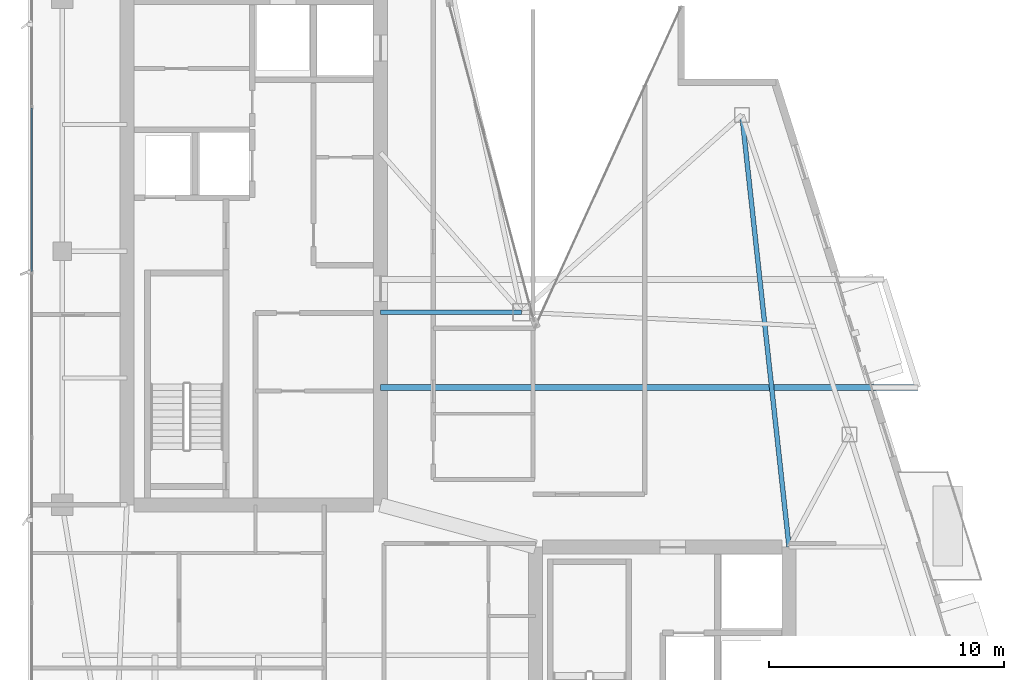
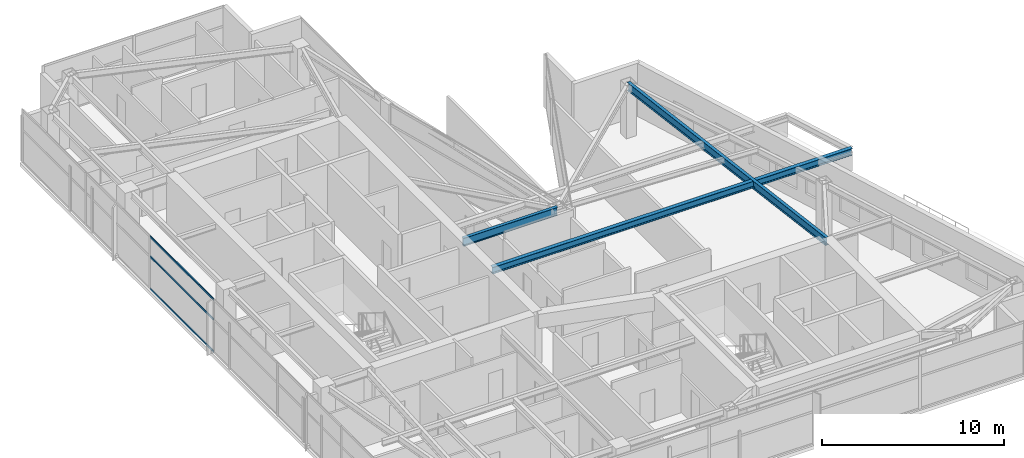
# One storey, part 11 of 27: 3 beams, 3 members, 1 element without a shape of its own.
"""IFC4 building model written with IfcOpenShell, lengths in metres."""

from ifc_helpers import new_model, si_unit, direction, frame, origin, origin_2d, place, context, subcontext, project, spatial, hollow_rectangle, i_section, extrude, material, layer, layer_set, material_profile, profile_set, type_object, element, aggregate, save


model = new_model("IFC4")

# Units and contexts
model_context = context("Model", 3, precision=1e-05, world=origin(), true_north=direction((0.0, 1.0)))
body_context = subcontext(model_context, "Body", "Model", "MODEL_VIEW")
ifc_project = project(units=[si_unit("LENGTHUNIT", "METRE"), si_unit("AREAUNIT", "SQUARE_METRE"), si_unit("VOLUMEUNIT", "CUBIC_METRE"), si_unit("PLANEANGLEUNIT", "RADIAN"), si_unit("MASSUNIT", "GRAM", prefix="KILO")], contexts=[model_context])

# Site, building, storey
site_placement = place(None, origin())
site = spatial("IfcSite", under=ifc_project, at=site_placement, CompositionType="ELEMENT")
building_placement = place(site_placement, origin())
building = spatial("IfcBuilding", under=site, at=building_placement, Name="Calvorn Quay Hotel", CompositionType="ELEMENT")
storey_placement = place(building_placement, frame((0.0, 0.0, 298.699951171875)))
storey = spatial("IfcBuildingStorey", under=building, at=storey_placement, Name="L74", CompositionType="ELEMENT", Elevation=298.699951171875)

# Beams
ifc_material_1 = material(Name="Steel Q355B", Category="steel")
ifc_material_profile_1 = material_profile(ifc_material_1, i_section(OverallWidth=0.25, OverallDepth=0.449951171875, WebThickness=0.011962890625, FlangeThickness=0.01611328125, FilletRadius=0.01611328125, at=origin_2d()), Name="HN450x250x12x16")
ifc_profile_set_1 = profile_set([ifc_material_profile_1], Name="Steel Q355B")
beam_type_1 = type_object("IfcBeamType", Name="BM-CANT-BALC", PredefinedType="BEAM", material=ifc_profile_set_1)
beam_1_placement = place(storey_placement, frame((15.0, 21.800048828125, 3.31494140625), z_axis=(1.0, 0.0, 0.0), x_axis=(0.0, 1.0, 0.0)))
element("IfcBeam", 1, at=beam_1_placement, inside=storey, type_object=beam_type_1, Name="Cantilever Balcony Beam BCB-L75-1A", PredefinedType="BEAM", context=body_context, shape_type="SweptSolid", body=[
    extrude(i_section(OverallWidth=0.25, OverallDepth=0.449951171875, WebThickness=0.011962890625, FlangeThickness=0.01611328125, FilletRadius=0.01611328125, at=origin_2d()), origin(), (0.0, 0.0, 1.0), 22.885986328125),
])
ifc_material_2 = material(Name="Steel Q355B", Category="steel")
ifc_material_profile_2 = material_profile(ifc_material_2, i_section(OverallWidth=0.199951171875, OverallDepth=0.550048828125, WebThickness=0.010009765625, FlangeThickness=0.01611328125, FilletRadius=0.01806640625, at=origin_2d()), Name="HN550x200x10x16")
ifc_profile_set_2 = profile_set([ifc_material_profile_2], Name="Steel Q355B")
beam_type_2 = type_object("IfcBeamType", Name="BM-GIRD-UPP", PredefinedType="BEAM", material=ifc_profile_set_2)
beam_2_placement = place(storey_placement, frame((21.0, 25.0, 3.26513671875), z_axis=(-1.0, 0.0, 0.0), x_axis=(0.0, -1.0, 0.0)))
element("IfcBeam", 2, at=beam_2_placement, inside=storey, type_object=beam_type_2, Name="Beam BG-L74-W7", PredefinedType="BEAM", context=body_context, shape_type="SweptSolid", body=[
    extrude(i_section(OverallWidth=0.199951171875, OverallDepth=0.550048828125, WebThickness=0.010009765625, FlangeThickness=0.01611328125, FilletRadius=0.01806640625, at=origin_2d()), origin(), (0.0, 0.0, 1.0), 6.0),
])
beam_3_placement = place(storey_placement, frame((32.39990234375, 15.0, 3.26513671875), z_axis=(-0.108529038315, 0.994093279246, 0.0), x_axis=(-0.994093279246, -0.108529038315, 0.0)))
element("IfcBeam", 3, at=beam_3_placement, inside=storey, type_object=beam_type_2, Name="Beam BG-L74-E3", PredefinedType="BEAM", context=body_context, shape_type="SweptSolid", body=[
    extrude(i_section(OverallWidth=0.199951171875, OverallDepth=0.550048828125, WebThickness=0.010009765625, FlangeThickness=0.01611328125, FilletRadius=0.01806640625, at=origin_2d()), origin(), (0.0, 0.0, 1.0), 18.50927734375),
])

# Curtain wall, members
ifc_material_3 = material(Name="Champagne Bronze Anodised Aluminium and Low-E Glass", Category="aluminium")
ifc_layer = layer(ifc_material_3, 0.219970703125)
ifc_layer_set = layer_set([ifc_layer], Name="CW-SYS-Z4")
curtain_wall_type = type_object("IfcCurtainWallType", Name="CW-SYS-Z4", PredefinedType="NOTDEFINED", material=ifc_layer_set)
curtain_wall_placement = place(storey_placement, origin())
curtain_wall = element("IfcCurtainWall", 4, at=curtain_wall_placement, inside=storey, type_object=curtain_wall_type, Name="Tower West Curtain Wall (L74)", PredefinedType="NOTDEFINED")
ifc_material_4 = material(Name="Champagne Bronze Anodised Aluminium 6063-T6", Category="aluminium")
ifc_material_profile_3 = material_profile(ifc_material_4, hollow_rectangle(XDim=0.054931640625, YDim=0.1298828125, WallThickness=0.003173828125, at=origin_2d()), Name="ALU-T130x55x3.2")
ifc_profile_set_3 = profile_set([ifc_material_profile_3], Name="Champagne Bronze Anodised Aluminium 6063-T6")
member_type = type_object("IfcMemberType", Name="CW-SYS-Z4-TRN", PredefinedType="USERDEFINED", material=ifc_profile_set_3)
member_1_placement = place(storey_placement, frame((0.14990234375, 26.72998046875, 0.030029296875), z_axis=(0.0, 1.0, 0.0), x_axis=(-1.0, 0.0, 0.0)))
member_1 = element("IfcMember", 5, at=member_1_placement, type_object=member_type, Name="CW-L74-W transom 4.1", ObjectType="TRANSOM", PredefinedType="USERDEFINED", context=body_context, shape_type="SweptSolid", body=[
    extrude(hollow_rectangle(XDim=0.054931640625, YDim=0.1298828125, WallThickness=0.003173828125, at=origin_2d()), origin(), (0.0, 0.0, 1.0), 6.973388671875),
])
member_2_placement = place(storey_placement, frame((0.14990234375, 26.72998046875, 2.199951171875), z_axis=(0.0, 1.0, 0.0), x_axis=(-1.0, 0.0, 0.0)))
member_2 = element("IfcMember", 6, at=member_2_placement, type_object=member_type, Name="CW-L74-W transom 4.2", ObjectType="TRANSOM", PredefinedType="USERDEFINED", context=body_context, shape_type="SweptSolid", body=[
    extrude(hollow_rectangle(XDim=0.054931640625, YDim=0.1298828125, WallThickness=0.003173828125, at=origin_2d()), origin(), (0.0, 0.0, 1.0), 6.973388671875),
])
member_3_placement = place(storey_placement, frame((0.14990234375, 26.72998046875, 3.530029296875), z_axis=(0.0, 1.0, 0.0), x_axis=(-1.0, 0.0, 0.0)))
member_3 = element("IfcMember", 7, at=member_3_placement, type_object=member_type, Name="CW-L74-W transom 4.3", ObjectType="TRANSOM", PredefinedType="USERDEFINED", context=body_context, shape_type="SweptSolid", body=[
    extrude(hollow_rectangle(XDim=0.054931640625, YDim=0.1298828125, WallThickness=0.003173828125, at=origin_2d()), origin(), (0.0, 0.0, 1.0), 6.973388671875),
])
aggregate(curtain_wall, [member_1, member_2, member_3])

save(model, "model.ifc")
